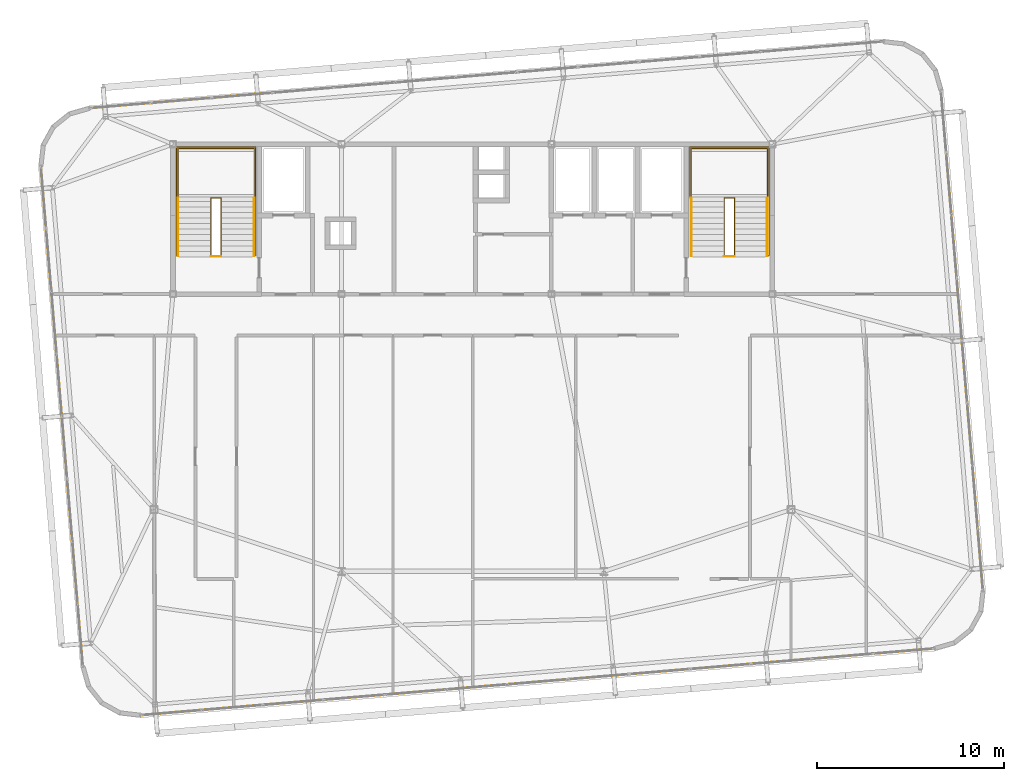
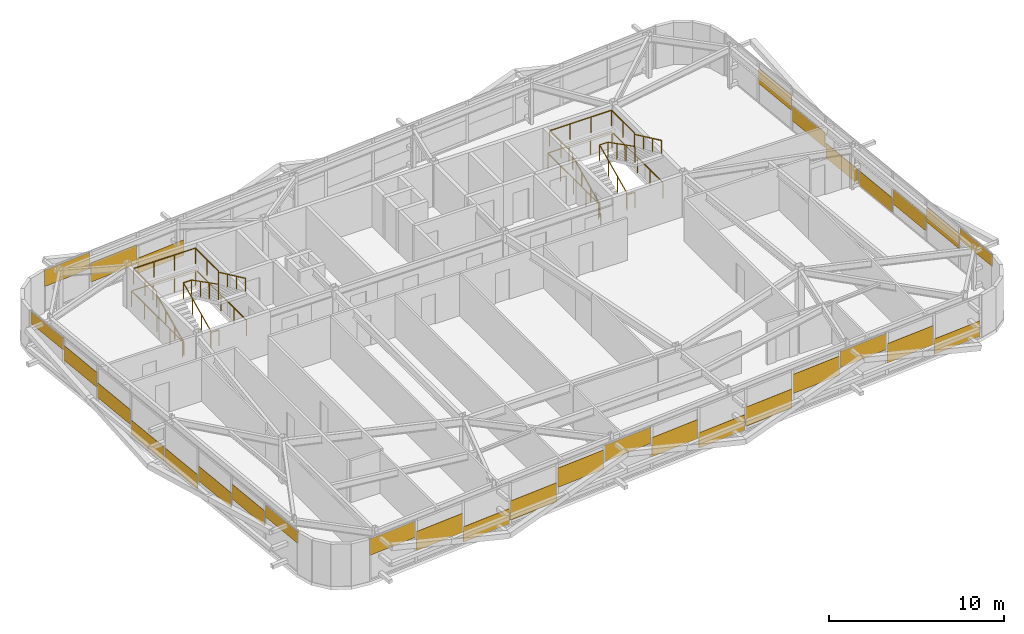
# One storey, part 45 of 46: 31 coverings, 12 railings.
"""IFC4 building model written with IfcOpenShell, lengths in metres."""

from ifc_helpers import new_model, si_unit, direction, frame, origin, origin_2d, place, context, subcontext, project, spatial, rectangle, extrude, source, transform, mapped, material, layer, layer_set, type_object, element, save


model = new_model("IFC4")

# Units and contexts
model_context = context("Model", 3, precision=1e-05, world=origin(), true_north=direction((0.0, 1.0)))
body_context = subcontext(model_context, "Body", "Model", "MODEL_VIEW")
ifc_project = project(units=[si_unit("LENGTHUNIT", "METRE"), si_unit("AREAUNIT", "SQUARE_METRE"), si_unit("VOLUMEUNIT", "CUBIC_METRE"), si_unit("PLANEANGLEUNIT", "RADIAN"), si_unit("MASSUNIT", "GRAM", prefix="KILO")], contexts=[model_context])

# Site, building, storey
site_placement = place(None, origin())
site = spatial("IfcSite", under=ifc_project, at=site_placement, CompositionType="ELEMENT")
building_placement = place(site_placement, origin())
building = spatial("IfcBuilding", under=site, at=building_placement, Name="Taldren Reach Tower", CompositionType="ELEMENT")
storey_placement = place(building_placement, frame((0.0, 0.0, 194.60009765625)))
storey = spatial("IfcBuildingStorey", under=building, at=storey_placement, Name="L59", CompositionType="ELEMENT", Elevation=194.60009765625)

# Railings
ifc_material_1 = material(Name="Steel Gr 350 (C350L0)", Category="steel")
ifc_layer_1 = layer(ifc_material_1, 0.050048828125)
ifc_layer_set_1 = layer_set([ifc_layer_1], Name="Steel Gr 350 (C350L0)")
railing_type_1 = type_object("IfcRailingType", Name="RL-STAIR-GR", PredefinedType="GUARDRAIL", material=ifc_layer_set_1)
railing_1_placement = place(storey_placement, frame((19.260009765625, 29.135009765625, 1.574951171875)))
element("IfcRailing", 1, at=railing_1_placement, inside=storey, type_object=railing_type_1, Name="Stair half-landing perimeter guard ST1-L59", PredefinedType="GUARDRAIL", context=body_context, shape_type="SweptSolid", body=[
    extrude(rectangle(XDim=0.047852, YDim=0.047852, at=origin_2d()), frame((0.0, 0.0, 1.09619140625), z_axis=(0.0, 1.0, 0.0), x_axis=(-1.0, 0.0, 0.0)), (0.0, 0.0, 1.0), 2.64501953125),
    extrude(rectangle(XDim=0.047852, YDim=0.047852, at=origin_2d()), frame((0.0, 2.64501953125, 1.09619140625), z_axis=(1.0, 0.0, 0.0), x_axis=(0.0, 1.0, 0.0)), (0.0, 0.0, 1.0), 4.080078125),
    extrude(rectangle(XDim=0.047852, YDim=0.047852, at=origin_2d()), frame((4.080078125, 2.64501953125, 1.09619140625), z_axis=(0.0, -1.0, 0.0), x_axis=(1.0, 0.0, 0.0)), (0.0, 0.0, 1.0), 2.64501953125),
    extrude(rectangle(XDim=0.041992, YDim=0.041992, at=origin_2d()), origin(), (0.0, 0.0, 1.0), 1.072021484375),
    extrude(rectangle(XDim=0.041992, YDim=0.041992, at=origin_2d()), frame((0.0, 1.322509765625, 0.0)), (0.0, 0.0, 1.0), 1.072021484375),
    extrude(rectangle(XDim=0.041992, YDim=0.041992, at=origin_2d()), frame((0.0, 2.64501953125, 0.0)), (0.0, 0.0, 1.0), 1.072021484375),
    extrude(rectangle(XDim=0.041992, YDim=0.041992, at=origin_2d()), frame((1.360107421875, 2.64501953125, 0.0)), (0.0, 0.0, 1.0), 1.072021484375),
    extrude(rectangle(XDim=0.041992, YDim=0.041992, at=origin_2d()), frame((2.719970703125, 2.64501953125, 0.0)), (0.0, 0.0, 1.0), 1.072021484375),
    extrude(rectangle(XDim=0.041992, YDim=0.041992, at=origin_2d()), frame((4.080078125, 2.64501953125, 0.0)), (0.0, 0.0, 1.0), 1.072021484375),
    extrude(rectangle(XDim=0.041992, YDim=0.041992, at=origin_2d()), frame((4.080078125, 1.322509765625, 0.0)), (0.0, 0.0, 1.0), 1.072021484375),
    extrude(rectangle(XDim=0.041992, YDim=0.041992, at=origin_2d()), frame((4.080078125, 0.0, 0.0)), (0.0, 0.0, 1.0), 1.072021484375),
])
railing_2_placement = place(storey_placement, frame((21.030029296875, 26.050048828125, 0.131103515625)))
element("IfcRailing", 2, at=railing_2_placement, inside=storey, type_object=railing_type_1, Name="Stairwell inner guard ST1-L59", PredefinedType="GUARDRAIL", context=body_context, shape_type="SweptSolid", body=[
    extrude(rectangle(XDim=0.047852, YDim=0.047852, at=origin_2d()), frame((0.0, 0.0, 1.09619140625), z_axis=(0.0, 0.905710134349, 0.423897573167), x_axis=(-1.0, 0.0, 0.0)), (0.0, 0.0, 1.0), 3.406005859375),
    extrude(rectangle(XDim=0.047852, YDim=0.047852, at=origin_2d()), frame((0.0, 3.0849609375, 2.5400390625), z_axis=(1.0, 0.0, 0.0), x_axis=(0.0, 1.0, 0.0)), (0.0, 0.0, 1.0), 0.5400390625),
    extrude(rectangle(XDim=0.047852, YDim=0.047852, at=origin_2d()), frame((0.5400390625, 3.0849609375, 2.5400390625), z_axis=(0.0, -0.890645957773, 0.45469745755), x_axis=(1.0, 0.0, 0.0)), (0.0, 0.0, 1.0), 3.463623046875),
    extrude(rectangle(XDim=0.041992, YDim=0.041992, at=origin_2d()), origin(), (0.0, 0.0, 1.0), 1.072021484375),
    extrude(rectangle(XDim=0.041992, YDim=0.041992, at=origin_2d()), frame((0.0, 1.0283203125, 0.481201171875)), (0.0, 0.0, 1.0), 1.072021484375),
    extrude(rectangle(XDim=0.041992, YDim=0.041992, at=origin_2d()), frame((0.0, 2.056640625, 0.962646484375)), (0.0, 0.0, 1.0), 1.072021484375),
    extrude(rectangle(XDim=0.041992, YDim=0.041992, at=origin_2d()), frame((0.0, 3.0849609375, 1.44384765625)), (0.0, 0.0, 1.0), 1.072021484375),
    extrude(rectangle(XDim=0.041992, YDim=0.041992, at=origin_2d()), frame((0.5400390625, 3.0849609375, 1.44384765625)), (0.0, 0.0, 1.0), 1.072021484375),
    extrude(rectangle(XDim=0.041992, YDim=0.041992, at=origin_2d()), frame((0.5400390625, 2.056640625, 1.96875)), (0.0, 0.0, 1.0), 1.072021484375),
    extrude(rectangle(XDim=0.041992, YDim=0.041992, at=origin_2d()), frame((0.5400390625, 1.0283203125, 2.493896484375)), (0.0, 0.0, 1.0), 1.072021484375),
    extrude(rectangle(XDim=0.041992, YDim=0.041992, at=origin_2d()), frame((0.5400390625, 0.0, 3.018798828125)), (0.0, 0.0, 1.0), 1.072021484375),
])
railing_3_placement = place(storey_placement, frame((21.030029296875, 26.010009765625, 0.0)))
element("IfcRailing", 3, at=railing_3_placement, inside=storey, type_object=railing_type_1, Name="Stairwell landing slot guard ST1-L59", PredefinedType="GUARDRAIL", context=body_context, shape_type="SweptSolid", body=[
    extrude(rectangle(XDim=0.047852, YDim=0.047852, at=origin_2d()), frame((0.0, 0.0, 1.09619140625), z_axis=(1.0, 0.0, 0.0), x_axis=(0.0, 1.0, 0.0)), (0.0, 0.0, 1.0), 0.5400390625),
    extrude(rectangle(XDim=0.041992, YDim=0.041992, at=origin_2d()), origin(), (0.0, 0.0, 1.0), 1.072021484375),
    extrude(rectangle(XDim=0.041992, YDim=0.041992, at=origin_2d()), frame((0.5400390625, 0.0, 0.0)), (0.0, 0.0, 1.0), 1.072021484375),
])
railing_4_placement = place(storey_placement, frame((19.18994140625, 26.050048828125, 0.0)))
element("IfcRailing", 4, at=railing_4_placement, inside=storey, type_object=railing_type_1, Name="Stairwell floor opening guard ST1-L59", PredefinedType="GUARDRAIL", context=body_context, shape_type="SweptSolid", body=[
    extrude(rectangle(XDim=0.047852, YDim=0.047852, at=origin_2d()), frame((0.0, 0.0, 1.09619140625), z_axis=(0.0, 1.0, 0.0), x_axis=(-1.0, 0.0, 0.0)), (0.0, 0.0, 1.0), 5.800048828125),
    extrude(rectangle(XDim=0.047852, YDim=0.047852, at=origin_2d()), frame((0.0, 5.800048828125, 1.09619140625), z_axis=(1.0, 0.0, 0.0), x_axis=(0.0, 1.0, 0.0)), (0.0, 0.0, 1.0), 4.219970703125),
    extrude(rectangle(XDim=0.047852, YDim=0.047852, at=origin_2d()), frame((4.219970703125, 5.800048828125, 1.09619140625), z_axis=(0.0, -1.0, 0.0), x_axis=(1.0, 0.0, 0.0)), (0.0, 0.0, 1.0), 5.800048828125),
    extrude(rectangle(XDim=0.041992, YDim=0.041992, at=origin_2d()), origin(), (0.0, 0.0, 1.0), 1.072021484375),
    extrude(rectangle(XDim=0.041992, YDim=0.041992, at=origin_2d()), frame((0.0, 1.449951171875, 0.0)), (0.0, 0.0, 1.0), 1.072021484375),
    extrude(rectangle(XDim=0.041992, YDim=0.041992, at=origin_2d()), frame((0.0, 2.89990234375, 0.0)), (0.0, 0.0, 1.0), 1.072021484375),
    extrude(rectangle(XDim=0.041992, YDim=0.041992, at=origin_2d()), frame((0.0, 4.35009765625, 0.0)), (0.0, 0.0, 1.0), 1.072021484375),
    extrude(rectangle(XDim=0.041992, YDim=0.041992, at=origin_2d()), frame((0.0, 5.800048828125, 0.0)), (0.0, 0.0, 1.0), 1.072021484375),
    extrude(rectangle(XDim=0.041992, YDim=0.041992, at=origin_2d()), frame((1.40673828125, 5.800048828125, 0.0)), (0.0, 0.0, 1.0), 1.072021484375),
    extrude(rectangle(XDim=0.041992, YDim=0.041992, at=origin_2d()), frame((2.813232421875, 5.800048828125, 0.0)), (0.0, 0.0, 1.0), 1.072021484375),
    extrude(rectangle(XDim=0.041992, YDim=0.041992, at=origin_2d()), frame((4.219970703125, 5.800048828125, 0.0)), (0.0, 0.0, 1.0), 1.072021484375),
    extrude(rectangle(XDim=0.041992, YDim=0.041992, at=origin_2d()), frame((4.219970703125, 4.35009765625, 0.0)), (0.0, 0.0, 1.0), 1.072021484375),
    extrude(rectangle(XDim=0.041992, YDim=0.041992, at=origin_2d()), frame((4.219970703125, 2.89990234375, 0.0)), (0.0, 0.0, 1.0), 1.072021484375),
    extrude(rectangle(XDim=0.041992, YDim=0.041992, at=origin_2d()), frame((4.219970703125, 1.449951171875, 0.0)), (0.0, 0.0, 1.0), 1.072021484375),
    extrude(rectangle(XDim=0.041992, YDim=0.041992, at=origin_2d()), frame((4.219970703125, 0.0, 0.0)), (0.0, 0.0, 1.0), 1.072021484375),
])
railing_5_placement = place(storey_placement, frame((46.659912109375, 29.135009765625, 1.574951171875)))
element("IfcRailing", 5, at=railing_5_placement, inside=storey, type_object=railing_type_1, Name="Stair half-landing perimeter guard ST2-L59", PredefinedType="GUARDRAIL", context=body_context, shape_type="SweptSolid", body=[
    extrude(rectangle(XDim=0.047852, YDim=0.047852, at=origin_2d()), frame((0.0, 0.0, 1.09619140625), z_axis=(0.0, 1.0, 0.0), x_axis=(-1.0, 0.0, 0.0)), (0.0, 0.0, 1.0), 2.64501953125),
    extrude(rectangle(XDim=0.047852, YDim=0.047852, at=origin_2d()), frame((0.0, 2.64501953125, 1.09619140625), z_axis=(1.0, 0.0, 0.0), x_axis=(0.0, 1.0, 0.0)), (0.0, 0.0, 1.0), 4.080078125),
    extrude(rectangle(XDim=0.047852, YDim=0.047852, at=origin_2d()), frame((4.080078125, 2.64501953125, 1.09619140625), z_axis=(0.0, -1.0, 0.0), x_axis=(1.0, 0.0, 0.0)), (0.0, 0.0, 1.0), 2.64501953125),
    extrude(rectangle(XDim=0.041992, YDim=0.041992, at=origin_2d()), origin(), (0.0, 0.0, 1.0), 1.072021484375),
    extrude(rectangle(XDim=0.041992, YDim=0.041992, at=origin_2d()), frame((0.0, 1.322509765625, 0.0)), (0.0, 0.0, 1.0), 1.072021484375),
    extrude(rectangle(XDim=0.041992, YDim=0.041992, at=origin_2d()), frame((0.0, 2.64501953125, 0.0)), (0.0, 0.0, 1.0), 1.072021484375),
    extrude(rectangle(XDim=0.041992, YDim=0.041992, at=origin_2d()), frame((1.360107421875, 2.64501953125, 0.0)), (0.0, 0.0, 1.0), 1.072021484375),
    extrude(rectangle(XDim=0.041992, YDim=0.041992, at=origin_2d()), frame((2.719970703125, 2.64501953125, 0.0)), (0.0, 0.0, 1.0), 1.072021484375),
    extrude(rectangle(XDim=0.041992, YDim=0.041992, at=origin_2d()), frame((4.080078125, 2.64501953125, 0.0)), (0.0, 0.0, 1.0), 1.072021484375),
    extrude(rectangle(XDim=0.041992, YDim=0.041992, at=origin_2d()), frame((4.080078125, 1.322509765625, 0.0)), (0.0, 0.0, 1.0), 1.072021484375),
    extrude(rectangle(XDim=0.041992, YDim=0.041992, at=origin_2d()), frame((4.080078125, 0.0, 0.0)), (0.0, 0.0, 1.0), 1.072021484375),
])
railing_6_placement = place(storey_placement, frame((48.429931640625, 26.050048828125, 0.131103515625)))
element("IfcRailing", 6, at=railing_6_placement, inside=storey, type_object=railing_type_1, Name="Stairwell inner guard ST2-L59", PredefinedType="GUARDRAIL", context=body_context, shape_type="SweptSolid", body=[
    extrude(rectangle(XDim=0.047852, YDim=0.047852, at=origin_2d()), frame((0.0, 0.0, 1.09619140625), z_axis=(0.0, 0.905710134349, 0.423897573167), x_axis=(-1.0, 0.0, 0.0)), (0.0, 0.0, 1.0), 3.406005859375),
    extrude(rectangle(XDim=0.047852, YDim=0.047852, at=origin_2d()), frame((0.0, 3.0849609375, 2.5400390625), z_axis=(1.0, 0.0, 0.0), x_axis=(0.0, 1.0, 0.0)), (0.0, 0.0, 1.0), 0.5400390625),
    extrude(rectangle(XDim=0.047852, YDim=0.047852, at=origin_2d()), frame((0.5400390625, 3.0849609375, 2.5400390625), z_axis=(0.0, -0.890645957773, 0.45469745755), x_axis=(1.0, 0.0, 0.0)), (0.0, 0.0, 1.0), 3.463623046875),
    extrude(rectangle(XDim=0.041992, YDim=0.041992, at=origin_2d()), origin(), (0.0, 0.0, 1.0), 1.072021484375),
    extrude(rectangle(XDim=0.041992, YDim=0.041992, at=origin_2d()), frame((0.0, 1.0283203125, 0.481201171875)), (0.0, 0.0, 1.0), 1.072021484375),
    extrude(rectangle(XDim=0.041992, YDim=0.041992, at=origin_2d()), frame((0.0, 2.056640625, 0.962646484375)), (0.0, 0.0, 1.0), 1.072021484375),
    extrude(rectangle(XDim=0.041992, YDim=0.041992, at=origin_2d()), frame((0.0, 3.0849609375, 1.44384765625)), (0.0, 0.0, 1.0), 1.072021484375),
    extrude(rectangle(XDim=0.041992, YDim=0.041992, at=origin_2d()), frame((0.5400390625, 3.0849609375, 1.44384765625)), (0.0, 0.0, 1.0), 1.072021484375),
    extrude(rectangle(XDim=0.041992, YDim=0.041992, at=origin_2d()), frame((0.5400390625, 2.056640625, 1.96875)), (0.0, 0.0, 1.0), 1.072021484375),
    extrude(rectangle(XDim=0.041992, YDim=0.041992, at=origin_2d()), frame((0.5400390625, 1.0283203125, 2.493896484375)), (0.0, 0.0, 1.0), 1.072021484375),
    extrude(rectangle(XDim=0.041992, YDim=0.041992, at=origin_2d()), frame((0.5400390625, 0.0, 3.018798828125)), (0.0, 0.0, 1.0), 1.072021484375),
])
railing_7_placement = place(storey_placement, frame((48.429931640625, 26.010009765625, 0.0)))
element("IfcRailing", 7, at=railing_7_placement, inside=storey, type_object=railing_type_1, Name="Stairwell landing slot guard ST2-L59", PredefinedType="GUARDRAIL", context=body_context, shape_type="SweptSolid", body=[
    extrude(rectangle(XDim=0.047852, YDim=0.047852, at=origin_2d()), frame((0.0, 0.0, 1.09619140625), z_axis=(1.0, 0.0, 0.0), x_axis=(0.0, 1.0, 0.0)), (0.0, 0.0, 1.0), 0.5400390625),
    extrude(rectangle(XDim=0.041992, YDim=0.041992, at=origin_2d()), origin(), (0.0, 0.0, 1.0), 1.072021484375),
    extrude(rectangle(XDim=0.041992, YDim=0.041992, at=origin_2d()), frame((0.5400390625, 0.0, 0.0)), (0.0, 0.0, 1.0), 1.072021484375),
])
railing_8_placement = place(storey_placement, frame((46.590087890625, 26.050048828125, 0.0)))
element("IfcRailing", 8, at=railing_8_placement, inside=storey, type_object=railing_type_1, Name="Stairwell floor opening guard ST2-L59", PredefinedType="GUARDRAIL", context=body_context, shape_type="SweptSolid", body=[
    extrude(rectangle(XDim=0.047852, YDim=0.047852, at=origin_2d()), frame((0.0, 0.0, 1.09619140625), z_axis=(0.0, 1.0, 0.0), x_axis=(-1.0, 0.0, 0.0)), (0.0, 0.0, 1.0), 5.800048828125),
    extrude(rectangle(XDim=0.047852, YDim=0.047852, at=origin_2d()), frame((0.0, 5.800048828125, 1.09619140625), z_axis=(1.0, 0.0, 0.0), x_axis=(0.0, 1.0, 0.0)), (0.0, 0.0, 1.0), 4.219970703125),
    extrude(rectangle(XDim=0.047852, YDim=0.047852, at=origin_2d()), frame((4.219970703125, 5.800048828125, 1.09619140625), z_axis=(0.0, -1.0, 0.0), x_axis=(1.0, 0.0, 0.0)), (0.0, 0.0, 1.0), 5.800048828125),
    extrude(rectangle(XDim=0.041992, YDim=0.041992, at=origin_2d()), origin(), (0.0, 0.0, 1.0), 1.072021484375),
    extrude(rectangle(XDim=0.041992, YDim=0.041992, at=origin_2d()), frame((0.0, 1.449951171875, 0.0)), (0.0, 0.0, 1.0), 1.072021484375),
    extrude(rectangle(XDim=0.041992, YDim=0.041992, at=origin_2d()), frame((0.0, 2.89990234375, 0.0)), (0.0, 0.0, 1.0), 1.072021484375),
    extrude(rectangle(XDim=0.041992, YDim=0.041992, at=origin_2d()), frame((0.0, 4.35009765625, 0.0)), (0.0, 0.0, 1.0), 1.072021484375),
    extrude(rectangle(XDim=0.041992, YDim=0.041992, at=origin_2d()), frame((0.0, 5.800048828125, 0.0)), (0.0, 0.0, 1.0), 1.072021484375),
    extrude(rectangle(XDim=0.041992, YDim=0.041992, at=origin_2d()), frame((1.40673828125, 5.800048828125, 0.0)), (0.0, 0.0, 1.0), 1.072021484375),
    extrude(rectangle(XDim=0.041992, YDim=0.041992, at=origin_2d()), frame((2.813232421875, 5.800048828125, 0.0)), (0.0, 0.0, 1.0), 1.072021484375),
    extrude(rectangle(XDim=0.041992, YDim=0.041992, at=origin_2d()), frame((4.219970703125, 5.800048828125, 0.0)), (0.0, 0.0, 1.0), 1.072021484375),
    extrude(rectangle(XDim=0.041992, YDim=0.041992, at=origin_2d()), frame((4.219970703125, 4.35009765625, 0.0)), (0.0, 0.0, 1.0), 1.072021484375),
    extrude(rectangle(XDim=0.041992, YDim=0.041992, at=origin_2d()), frame((4.219970703125, 2.89990234375, 0.0)), (0.0, 0.0, 1.0), 1.072021484375),
    extrude(rectangle(XDim=0.041992, YDim=0.041992, at=origin_2d()), frame((4.219970703125, 1.449951171875, 0.0)), (0.0, 0.0, 1.0), 1.072021484375),
    extrude(rectangle(XDim=0.041992, YDim=0.041992, at=origin_2d()), frame((4.219970703125, 0.0, 0.0)), (0.0, 0.0, 1.0), 1.072021484375),
])
ifc_material_2 = material(Name="Stainless Steel Gr 316", Category="steel")
ifc_layer_2 = layer(ifc_material_2, 0.048095703125)
ifc_layer_set_2 = layer_set([ifc_layer_2], Name="Stainless Steel Gr 316")
railing_type_2 = type_object("IfcRailingType", Name="RL-STAIR-HR", PredefinedType="HANDRAIL", material=ifc_layer_set_2)
railing_9_placement = place(storey_placement, frame((19.27001953125, 26.050048828125, 0.131103515625)))
element("IfcRailing", 9, at=railing_9_placement, inside=storey, type_object=railing_type_2, Name="Stair flight handrail ST1-L59-1", PredefinedType="HANDRAIL", context=body_context, shape_type="SweptSolid", body=[
    extrude(rectangle(XDim=0.047852, YDim=0.047852, at=origin_2d()), frame((0.0, 0.0, 0.89599609375), z_axis=(0.0, 0.905710134349, 0.423897573167), x_axis=(-1.0, 0.0, 0.0)), (0.0, 0.0, 1.0), 3.406005859375),
    extrude(rectangle(XDim=0.041992, YDim=0.041992, at=origin_2d()), origin(), (0.0, 0.0, 1.0), 0.871826171875),
    extrude(rectangle(XDim=0.041992, YDim=0.041992, at=origin_2d()), frame((0.0, 1.0283203125, 0.481201171875)), (0.0, 0.0, 1.0), 0.871826171875),
    extrude(rectangle(XDim=0.041992, YDim=0.041992, at=origin_2d()), frame((0.0, 2.056640625, 0.962646484375)), (0.0, 0.0, 1.0), 0.871826171875),
    extrude(rectangle(XDim=0.041992, YDim=0.041992, at=origin_2d()), frame((0.0, 3.0849609375, 1.44384765625)), (0.0, 0.0, 1.0), 0.871826171875),
])
railing_10_placement = place(storey_placement, frame((23.330078125, 29.135009765625, 1.706298828125)))
element("IfcRailing", 10, at=railing_10_placement, inside=storey, type_object=railing_type_2, Name="Stair flight handrail ST1-L59-2", PredefinedType="HANDRAIL", context=body_context, shape_type="SweptSolid", body=[
    extrude(rectangle(XDim=0.047852, YDim=0.047852, at=origin_2d()), frame((0.0, 0.0, 0.89599609375), z_axis=(0.0, -0.905737652094, 0.423838773095), x_axis=(1.0, 0.0, 0.0)), (0.0, 0.0, 1.0), 3.406005859375),
    extrude(rectangle(XDim=0.041992, YDim=0.041992, at=origin_2d()), origin(), (0.0, 0.0, 1.0), 0.871826171875),
    extrude(rectangle(XDim=0.041992, YDim=0.041992, at=origin_2d()), frame((0.0, -1.0283203125, 0.481201171875)), (0.0, 0.0, 1.0), 0.871826171875),
    extrude(rectangle(XDim=0.041992, YDim=0.041992, at=origin_2d()), frame((0.0, -2.056640625, 0.96240234375)), (0.0, 0.0, 1.0), 0.871826171875),
    extrude(rectangle(XDim=0.041992, YDim=0.041992, at=origin_2d()), frame((0.0, -3.0849609375, 1.443603515625)), (0.0, 0.0, 1.0), 0.871826171875),
])
railing_11_placement = place(storey_placement, frame((46.669921875, 26.050048828125, 0.131103515625)))
element("IfcRailing", 11, at=railing_11_placement, inside=storey, type_object=railing_type_2, Name="Stair flight handrail ST2-L59-1", PredefinedType="HANDRAIL", context=body_context, shape_type="SweptSolid", body=[
    extrude(rectangle(XDim=0.047852, YDim=0.047852, at=origin_2d()), frame((0.0, 0.0, 0.89599609375), z_axis=(0.0, 0.905710134349, 0.423897573167), x_axis=(-1.0, 0.0, 0.0)), (0.0, 0.0, 1.0), 3.406005859375),
    extrude(rectangle(XDim=0.041992, YDim=0.041992, at=origin_2d()), origin(), (0.0, 0.0, 1.0), 0.871826171875),
    extrude(rectangle(XDim=0.041992, YDim=0.041992, at=origin_2d()), frame((0.0, 1.0283203125, 0.481201171875)), (0.0, 0.0, 1.0), 0.871826171875),
    extrude(rectangle(XDim=0.041992, YDim=0.041992, at=origin_2d()), frame((0.0, 2.056640625, 0.962646484375)), (0.0, 0.0, 1.0), 0.871826171875),
    extrude(rectangle(XDim=0.041992, YDim=0.041992, at=origin_2d()), frame((0.0, 3.0849609375, 1.44384765625)), (0.0, 0.0, 1.0), 0.871826171875),
])
railing_12_placement = place(storey_placement, frame((50.72998046875, 29.135009765625, 1.706298828125)))
element("IfcRailing", 12, at=railing_12_placement, inside=storey, type_object=railing_type_2, Name="Stair flight handrail ST2-L59-2", PredefinedType="HANDRAIL", context=body_context, shape_type="SweptSolid", body=[
    extrude(rectangle(XDim=0.047852, YDim=0.047852, at=origin_2d()), frame((0.0, 0.0, 0.89599609375), z_axis=(0.0, -0.905737652094, 0.423838773095), x_axis=(1.0, 0.0, 0.0)), (0.0, 0.0, 1.0), 3.406005859375),
    extrude(rectangle(XDim=0.041992, YDim=0.041992, at=origin_2d()), origin(), (0.0, 0.0, 1.0), 0.871826171875),
    extrude(rectangle(XDim=0.041992, YDim=0.041992, at=origin_2d()), frame((0.0, -1.0283203125, 0.481201171875)), (0.0, 0.0, 1.0), 0.871826171875),
    extrude(rectangle(XDim=0.041992, YDim=0.041992, at=origin_2d()), frame((0.0, -2.056640625, 0.96240234375)), (0.0, 0.0, 1.0), 0.871826171875),
    extrude(rectangle(XDim=0.041992, YDim=0.041992, at=origin_2d()), frame((0.0, -3.0849609375, 1.443603515625)), (0.0, 0.0, 1.0), 0.871826171875),
])

# Coverings
ifc_material_3 = material(Name="Pale Champagne Fluoropolymer Aluminium Spandrel Cladding", Category="aluminium")
ifc_layer_3 = layer(ifc_material_3, 0.0439453125)
ifc_layer_set_3 = layer_set([ifc_layer_3], Name="Pale Champagne Fluoropolymer Aluminium Spandrel Cladding")
covering_type = type_object("IfcCoveringType", Name="CV-CLAD-044", PredefinedType="CLADDING", material=ifc_layer_set_3)
shared_shape_1 = source(origin(), body_context, "Body", "SweptSolid", [
    extrude(rectangle(XDim=3.164306640625, YDim=0.0439453125, at=origin_2d()), origin(), (0.0, 0.0, 1.0), 1.075927734375),
])
covering_1_placement = place(storey_placement, frame((57.98974609375, 4.93701171875, 0.06005859375), z_axis=(0.0, 0.0, 1.0), x_axis=(0.996492854922, 0.083677894865, 0.0)))
element("IfcCovering", 13, at=covering_1_placement, inside=storey, type_object=covering_type, Name="Diagrid closure cladding strip CW-5 panel 13.1 1", PredefinedType="CLADDING", context=body_context, shape_type="MappedRepresentation", body=[
    mapped(shared_shape_1, transform((0.0, 0.0, 0.0), scale=1.0)),
])
shared_shape_2 = source(origin(), body_context, "Body", "SweptSolid", [
    extrude(rectangle(XDim=3.19921875, YDim=0.0439453125, at=origin_2d()), origin(), (0.0, 0.0, 1.0), 1.3359375),
])
for number, where, z_axis, x_axis, name in (
    (14, (22.171875, 1.92919921875, 0.762939453125), (0.0, 0.0, 1.0), (0.996492854922, 0.083677894865, 0.0), "Diagrid closure cladding strip CW-5 panel 2.1 1"),
    (15, (28.687255859375, 2.476318359375, 0.283447265625), (0.0, 0.0, 1.0), (0.996492854922, 0.083677894865, 0.0), "Diagrid closure cladding strip CW-5 panel 4.1 1"),
    (16, (31.945068359375, 2.75, 1.254638671875), (0.0, 0.0, 1.0), (0.996492854922, 0.083677894865, 0.0), "Diagrid closure cladding strip CW-5 panel 5.1 1"),
    (17, (38.460693359375, 3.297119140625, 0.766845703125), (0.0, 0.0, 1.0), (0.996492854922, 0.083677894865, 0.0), "Diagrid closure cladding strip CW-5 panel 7.1 1"),
    (18, (44.97607421875, 3.84423828125, 0.279296875), (0.0, 0.0, 1.0), (0.996492854922, 0.083677894865, 0.0), "Diagrid closure cladding strip CW-5 panel 9.1 1"),
    (19, (48.23388671875, 4.11767578125, 1.25048828125), (0.0, 0.0, 1.0), (0.996492854922, 0.083677894865, 0.0), "Diagrid closure cladding strip CW-5 panel 10.1 1"),
    (20, (54.74951171875, 4.664794921875, 0.77099609375), (0.0, 0.0, 1.0), (0.996492854922, 0.083677894865, 0.0), "Diagrid closure cladding strip CW-5 panel 12.1 1"),
    (21, (19.45068359375, 34.335205078125, 0.762939453125), (0.0, 0.0, 1.0), (-0.99649285657, -0.083677875247, 0.0), "Diagrid closure cladding strip CW-5 panel 12.1 1"),
):
    element("IfcCovering", number, at=place(storey_placement, frame(where, z_axis=z_axis, x_axis=x_axis)), inside=storey, type_object=covering_type, Name=name, PredefinedType="CLADDING", context=body_context, shape_type="MappedRepresentation", body=[
        mapped(shared_shape_2, transform((0.0, 0.0, 0.0), scale=1.0)),
    ])
shared_shape_3 = source(origin(), body_context, "Body", "SweptSolid", [
    extrude(rectangle(XDim=3.19921875, YDim=0.0439453125, at=origin_2d()), origin(), (0.0, 0.0, 1.0), 1.127685546875),
])
covering_2_placement = place(storey_placement, frame((51.49169921875, 4.391357421875, 1.7421875), z_axis=(0.0, 0.0, 1.0), x_axis=(0.996492854922, 0.083677894865, 0.0)))
element("IfcCovering", 22, at=covering_2_placement, inside=storey, type_object=covering_type, Name="Diagrid closure cladding strip CW-5 panel 11.1 1", PredefinedType="CLADDING", context=body_context, shape_type="MappedRepresentation", body=[
    mapped(shared_shape_3, transform((0.0, 0.0, 0.0), scale=1.0)),
])
shared_shape_4 = source(origin(), body_context, "Body", "SweptSolid", [
    extrude(rectangle(XDim=3.19921875, YDim=0.0439453125, at=origin_2d()), origin(), (0.0, 0.0, 1.0), 1.07177734375),
])
covering_3_placement = place(storey_placement, frame((41.71826171875, 3.570556640625, 0.059814453125), z_axis=(0.0, 0.0, 1.0), x_axis=(0.996492854922, 0.083677894865, 0.0)))
element("IfcCovering", 23, at=covering_3_placement, inside=storey, type_object=covering_type, Name="Diagrid closure cladding strip CW-5 panel 8.1 1", PredefinedType="CLADDING", context=body_context, shape_type="MappedRepresentation", body=[
    mapped(shared_shape_4, transform((0.0, 0.0, 0.0), scale=1.0)),
])
shared_shape_5 = source(origin(), body_context, "Body", "SweptSolid", [
    extrude(rectangle(XDim=3.19921875, YDim=0.0439453125, at=origin_2d()), origin(), (0.0, 0.0, 1.0), 1.1318359375),
])
covering_4_placement = place(storey_placement, frame((35.202880859375, 3.0234375, 1.738037109375), z_axis=(0.0, 0.0, 1.0), x_axis=(0.996492854922, 0.083677894865, 0.0)))
element("IfcCovering", 24, at=covering_4_placement, inside=storey, type_object=covering_type, Name="Diagrid closure cladding strip CW-5 panel 6.1 1", PredefinedType="CLADDING", context=body_context, shape_type="MappedRepresentation", body=[
    mapped(shared_shape_5, transform((0.0, 0.0, 0.0), scale=1.0)),
])
shared_shape_6 = source(origin(), body_context, "Body", "SweptSolid", [
    extrude(rectangle(XDim=3.19921875, YDim=0.0439453125, at=origin_2d()), origin(), (0.0, 0.0, 1.0), 1.067626953125),
])
for number, where, z_axis, x_axis, name in (
    (25, (25.429443359375, 2.202880859375, 0.06005859375), (0.0, 0.0, 1.0), (0.996492854922, 0.083677894865, 0.0), "Diagrid closure cladding strip CW-5 panel 3.1 1"),
    (26, (22.708251953125, 34.608642578125, 0.06005859375), (0.0, 0.0, 1.0), (-0.99649285657, -0.083677875247, 0.0), "Diagrid closure cladding strip CW-5 panel 11.1 1"),
):
    element("IfcCovering", number, at=place(storey_placement, frame(where, z_axis=z_axis, x_axis=x_axis)), inside=storey, type_object=covering_type, Name=name, PredefinedType="CLADDING", context=body_context, shape_type="MappedRepresentation", body=[
        mapped(shared_shape_6, transform((0.0, 0.0, 0.0), scale=1.0)),
    ])
shared_shape_7 = source(origin(), body_context, "Body", "SweptSolid", [
    extrude(rectangle(XDim=3.164306640625, YDim=0.0439453125, at=origin_2d()), origin(), (0.0, 0.0, 1.0), 1.135986328125),
])
for number, where, z_axis, x_axis, name in (
    (27, (18.931396484375, 1.6572265625, 1.73388671875), (0.0, 0.0, 1.0), (0.996492854922, 0.083677894865, 0.0), "Diagrid closure cladding strip CW-5 panel 1.1 1"),
    (28, (16.210205078125, 34.06298828125, 1.73388671875), (0.0, 0.0, 1.0), (-0.99649285657, -0.083677875247, 0.0), "Diagrid closure cladding strip CW-5 panel 13.1 1"),
):
    element("IfcCovering", number, at=place(storey_placement, frame(where, z_axis=z_axis, x_axis=x_axis)), inside=storey, type_object=covering_type, Name=name, PredefinedType="CLADDING", context=body_context, shape_type="MappedRepresentation", body=[
        mapped(shared_shape_7, transform((0.0, 0.0, 0.0), scale=1.0)),
    ])
shared_shape_8 = source(origin(), body_context, "Body", "SweptSolid", [
    extrude(rectangle(XDim=3.280029296875, YDim=0.0439453125, at=origin_2d()), origin(), (0.0, 0.0, 1.0), 1.0302734375),
])
for number, where, z_axis, x_axis, name in (
    (29, (12.373779296875, 25.828125, 1.372802734375), (0.0, 0.0, 1.0), (0.083677979808, -0.996492847789, 0.0), "Diagrid closure cladding strip CW-5 panel 2.1 1"),
    (30, (12.654052734375, 22.489990234375, 0.70556640625), (0.0, 0.0, 1.0), (0.083677979808, -0.996492847789, 0.0), "Diagrid closure cladding strip CW-5 panel 3.1 1"),
    (31, (13.4951171875, 12.47509765625, 0.70556640625), (0.0, 0.0, 1.0), (0.083677979808, -0.996492847789, 0.0), "Diagrid closure cladding strip CW-5 panel 6.1 1"),
    (32, (13.775390625, 9.136962890625, 1.372802734375), (0.0, 0.0, 1.0), (0.083677979808, -0.996492847789, 0.0), "Diagrid closure cladding strip CW-5 panel 7.1 1"),
    (33, (61.826171875, 13.171875, 1.372802734375), (0.0, 0.0, 1.0), (-0.083677979808, 0.996492847789, 0.0), "Diagrid closure cladding strip CW-5 panel 2.1 1"),
    (34, (61.5458984375, 16.510009765625, 0.70556640625), (0.0, 0.0, 1.0), (-0.083677979808, 0.996492847789, 0.0), "Diagrid closure cladding strip CW-5 panel 3.1 1"),
    (35, (60.705078125, 26.52490234375, 0.70556640625), (0.0, 0.0, 1.0), (-0.083677979808, 0.996492847789, 0.0), "Diagrid closure cladding strip CW-5 panel 6.1 1"),
    (36, (60.424560546875, 29.863037109375, 1.372802734375), (0.0, 0.0, 1.0), (-0.083677979808, 0.996492847789, 0.0), "Diagrid closure cladding strip CW-5 panel 7.1 1"),
):
    element("IfcCovering", number, at=place(storey_placement, frame(where, z_axis=z_axis, x_axis=x_axis)), inside=storey, type_object=covering_type, Name=name, PredefinedType="CLADDING", context=body_context, shape_type="MappedRepresentation", body=[
        mapped(shared_shape_8, transform((0.0, 0.0, 0.0), scale=1.0)),
    ])
shared_shape_9 = source(origin(), body_context, "Body", "SweptSolid", [
    extrude(rectangle(XDim=3.2451171875, YDim=0.0439453125, at=origin_2d()), origin(), (0.0, 0.0, 1.0), 0.829833984375),
])
for number, where, z_axis, x_axis, name in (
    (37, (12.094970703125, 29.14892578125, 2.0400390625), (0.0, 0.0, 1.0), (0.083677979808, -0.996492847789, 0.0), "Diagrid closure cladding strip CW-5 panel 1.1 1"),
    (38, (14.05419921875, 5.816162109375, 2.0400390625), (0.0, 0.0, 1.0), (0.083677979808, -0.996492847789, 0.0), "Diagrid closure cladding strip CW-5 panel 8.1 1"),
    (39, (62.105224609375, 9.85107421875, 2.0400390625), (0.0, 0.0, 1.0), (-0.083677979808, 0.996492847789, 0.0), "Diagrid closure cladding strip CW-5 panel 1.1 1"),
):
    element("IfcCovering", number, at=place(storey_placement, frame(where, z_axis=z_axis, x_axis=x_axis)), inside=storey, type_object=covering_type, Name=name, PredefinedType="CLADDING", context=body_context, shape_type="MappedRepresentation", body=[
        mapped(shared_shape_9, transform((0.0, 0.0, 0.0), scale=1.0)),
    ])
shared_shape_10 = source(origin(), body_context, "Body", "SweptSolid", [
    extrude(rectangle(XDim=3.280029296875, YDim=0.0439453125, at=origin_2d()), origin(), (0.0, 0.0, 1.0), 1.0087890625),
])
for number, where, z_axis, x_axis, name in (
    (40, (12.934326171875, 19.151611328125, 0.059814453125), (0.0, 0.0, 1.0), (0.083677979808, -0.996492847789, 0.0), "Diagrid closure cladding strip CW-5 panel 4.1 1"),
    (41, (13.214599609375, 15.8134765625, 0.059814453125), (0.0, 0.0, 1.0), (0.083677979808, -0.996492847789, 0.0), "Diagrid closure cladding strip CW-5 panel 5.1 1"),
    (42, (61.265625, 19.848388671875, 0.059814453125), (0.0, 0.0, 1.0), (-0.083677979808, 0.996492847789, 0.0), "Diagrid closure cladding strip CW-5 panel 4.1 1"),
    (43, (60.9853515625, 23.1865234375, 0.059814453125), (0.0, 0.0, 1.0), (-0.083677979808, 0.996492847789, 0.0), "Diagrid closure cladding strip CW-5 panel 5.1 1"),
):
    element("IfcCovering", number, at=place(storey_placement, frame(where, z_axis=z_axis, x_axis=x_axis)), inside=storey, type_object=covering_type, Name=name, PredefinedType="CLADDING", context=body_context, shape_type="MappedRepresentation", body=[
        mapped(shared_shape_10, transform((0.0, 0.0, 0.0), scale=1.0)),
    ])

save(model, "model.ifc")
